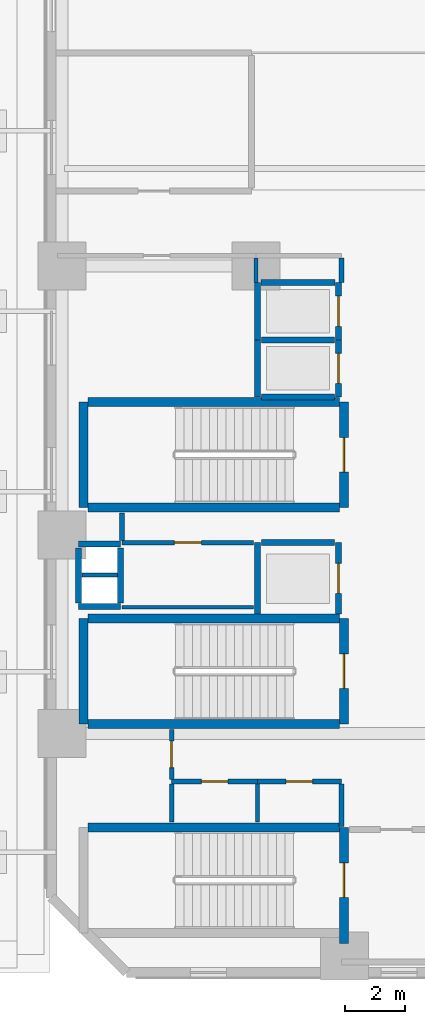
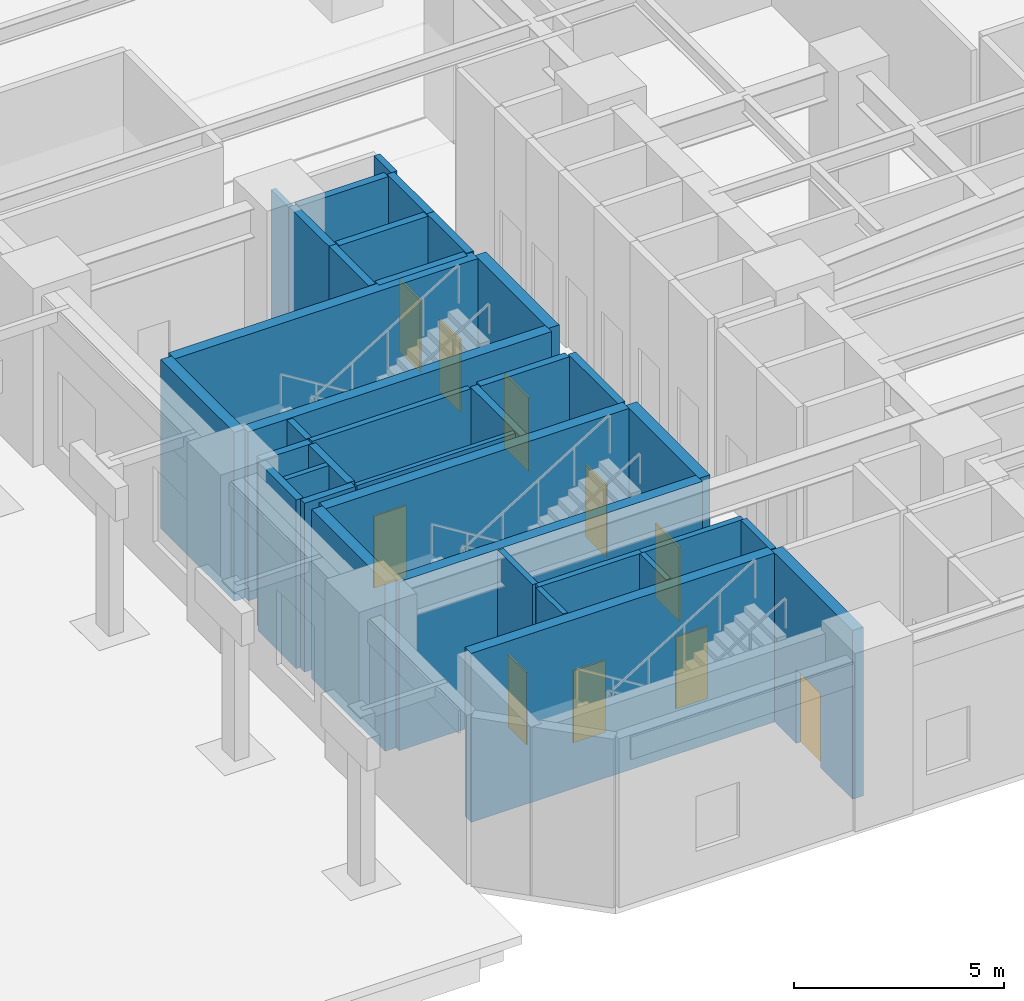
# One storey, part 3 of 14: 36 walls, 10 doors, 10 openings.
"""IFC4 building model written with IfcOpenShell, lengths in metres."""

from ifc_helpers import new_model, si_unit, direction, frame, frame_2d, origin, place, context, subcontext, project, spatial, rectangle, extrude, material, layer, layer_set, type_object, element, fill, save


model = new_model("IFC4")

# Units and contexts
model_context = context("Model", 3, precision=1e-05, world=origin(), true_north=direction((0.0, 1.0)))
body_context = subcontext(model_context, "Body", "Model", "MODEL_VIEW")
ifc_project = project(units=[si_unit("LENGTHUNIT", "METRE"), si_unit("AREAUNIT", "SQUARE_METRE"), si_unit("VOLUMEUNIT", "CUBIC_METRE"), si_unit("PLANEANGLEUNIT", "RADIAN"), si_unit("MASSUNIT", "GRAM", prefix="KILO")], contexts=[model_context])

# Site, building, storey
site_placement = place(None, origin())
site = spatial("IfcSite", under=ifc_project, at=site_placement, CompositionType="ELEMENT")
building_placement = place(site_placement, origin())
building = spatial("IfcBuilding", under=site, at=building_placement, Name="Mawjaban Terraces University", CompositionType="ELEMENT")
storey_placement = place(building_placement, origin())
storey = spatial("IfcBuildingStorey", under=building, at=storey_placement, Name="L00", CompositionType="ELEMENT", Elevation=0.0)

# Wall, opening, door
ifc_material_1 = material(Name="Fire-rated gypsum board on steel stud", Category="steel")
ifc_layer_1 = layer(ifc_material_1, 0.159912109375)
ifc_layer_set_1 = layer_set([ifc_layer_1], Name="Fire-rated gypsum board on steel stud")
wall_type_1 = type_object("IfcWallType", Name="CorridorPartition_160", PredefinedType="PARTITIONING", material=ifc_layer_set_1)
wall_1_placement = place(storey_placement, frame((24.35009765625, 14.300048828125, 0.0), z_axis=(0.0, 0.0, 1.0), x_axis=(1.0, 0.0, 0.0)))
wall_1 = element("IfcWall", 1, at=wall_1_placement, inside=storey, type_object=wall_type_1, Name="L00 Core Riser Access Passage Partition 2", PredefinedType="PARTITIONING", context=body_context, shape_type="SweptSolid", body=[
    extrude(rectangle(XDim=4.369873046875, YDim=0.159912109375, at=frame_2d((2.18505859375, 0.0))), origin(), (0.0, 0.0, 1.0), 4.919921875),
])
opening_1_placement = place(wall_1_placement, frame((1.735107421875, 0.0, 0.0)))
opening_1 = element("IfcOpeningElement", 2, at=opening_1_placement, cuts=wall_1, Name="Opening ID-090", PredefinedType="OPENING", context=body_context, shape_type="SweptSolid", body=[
    extrude(rectangle(XDim=0.89990234375, YDim=2.10009765625, at=frame_2d((0.449951171875, 1.050048828125))), frame((0.0, 0.08984375, 0.0), z_axis=(0.0, -1.0, 0.0), x_axis=(1.0, 0.0, 0.0)), (0.0, 0.0, 1.0), 0.179931640625),
])
ifc_material_2 = material(Name="Powder-coated steel frame and solid acoustic timber leaf", Category="steel")
door_type_1 = type_object("IfcDoorType", Name="OfficeDoor_900x2100", OperationType="NOTDEFINED", PredefinedType="DOOR", material=ifc_material_2)
door_1_placement = place(opening_1_placement, origin())
door_1 = element("IfcDoor", 3, at=door_1_placement, inside=storey, type_object=door_type_1, Name="L00 Cleaner Store Door", OperationType="SINGLE_SWING_RIGHT", OverallHeight=2.10009765625, OverallWidth=0.89990234375, PredefinedType="DOOR", context=body_context, shape_type="SweptSolid", body=[
    extrude(rectangle(XDim=0.89990234375, YDim=2.10009765625, at=frame_2d((0.449951171875, 1.050048828125))), frame((0.0, 0.02490234375, 0.0), z_axis=(0.0, -1.0, 0.0), x_axis=(1.0, 0.0, 0.0)), (0.0, 0.0, 1.0), 0.050048828125),
])
fill(opening_1, door_1)

wall_2_placement = place(storey_placement, frame((26.0, 6.35009765625, 0.0), z_axis=(0.0, 0.0, 1.0), x_axis=(1.0, 0.0, 0.0)))
wall_2 = element("IfcWall", 4, at=wall_2_placement, inside=storey, type_object=wall_type_1, Name="L00 Core Washroom Lobby Partition 3", PredefinedType="PARTITIONING", context=body_context, shape_type="SweptSolid", body=[
    extrude(rectangle(XDim=2.85009765625, YDim=0.159912109375, at=frame_2d((1.425048828125, 0.0))), origin(), (0.0, 0.0, 1.0), 4.919921875),
])
opening_2_placement = place(wall_2_placement, frame((0.985107421875, 0.0, 0.0)))
opening_2 = element("IfcOpeningElement", 5, at=opening_2_placement, cuts=wall_2, Name="Opening ID-088", PredefinedType="OPENING", context=body_context, shape_type="SweptSolid", body=[
    extrude(rectangle(XDim=0.8798828125, YDim=2.10009765625, at=frame_2d((0.43994140625, 1.050048828125))), frame((0.0, 0.08984375, 0.0), z_axis=(0.0, -1.0, 0.0), x_axis=(1.0, 0.0, 0.0)), (0.0, 0.0, 1.0), 0.179931640625),
])
door_type_2 = type_object("IfcDoorType", Name="ToiletDoor_880x2100", OperationType="NOTDEFINED", PredefinedType="DOOR", material=ifc_material_2)
door_2_placement = place(opening_2_placement, origin())
door_2 = element("IfcDoor", 6, at=door_2_placement, inside=storey, type_object=door_type_2, Name="L00 Male Toilet Door", OperationType="SINGLE_SWING_RIGHT", OverallHeight=2.10009765625, OverallWidth=0.8798828125, PredefinedType="DOOR", context=body_context, shape_type="SweptSolid", body=[
    extrude(rectangle(XDim=0.8798828125, YDim=2.10009765625, at=frame_2d((0.43994140625, 1.050048828125))), frame((0.0, 0.02490234375, 0.0), z_axis=(0.0, -1.0, 0.0), x_axis=(1.0, 0.0, 0.0)), (0.0, 0.0, 1.0), 0.050048828125),
])
fill(opening_2, door_2)

wall_3_placement = place(storey_placement, frame((28.85009765625, 6.35009765625, 0.0), z_axis=(0.0, 0.0, 1.0), x_axis=(1.0, 0.0, 0.0)))
wall_3 = element("IfcWall", 7, at=wall_3_placement, inside=storey, type_object=wall_type_1, Name="L00 Core Washroom Lobby Partition 8", PredefinedType="PARTITIONING", context=body_context, shape_type="SweptSolid", body=[
    extrude(rectangle(XDim=2.7998046875, YDim=0.159912109375, at=frame_2d((1.39990234375, 0.0))), origin(), (0.0, 0.0, 1.0), 4.919921875),
])
opening_3_placement = place(wall_3_placement, frame((0.9599609375, 0.0, 0.0)))
opening_3 = element("IfcOpeningElement", 8, at=opening_3_placement, cuts=wall_3, Name="Opening ID-088", PredefinedType="OPENING", context=body_context, shape_type="SweptSolid", body=[
    extrude(rectangle(XDim=0.8798828125, YDim=2.10009765625, at=frame_2d((0.43994140625, 1.050048828125))), frame((0.0, 0.08984375, 0.0), z_axis=(0.0, -1.0, 0.0), x_axis=(1.0, 0.0, 0.0)), (0.0, 0.0, 1.0), 0.179931640625),
])
door_3_placement = place(opening_3_placement, origin())
door_3 = element("IfcDoor", 9, at=door_3_placement, inside=storey, type_object=door_type_2, Name="L00 Accessible Toilet Door", OperationType="SINGLE_SWING_LEFT", OverallHeight=2.10009765625, OverallWidth=0.8798828125, PredefinedType="DOOR", context=body_context, shape_type="SweptSolid", body=[
    extrude(rectangle(XDim=0.8798828125, YDim=2.10009765625, at=frame_2d((0.43994140625, 1.050048828125))), frame((0.0, 0.02490234375, 0.0), z_axis=(0.0, -1.0, 0.0), x_axis=(1.0, 0.0, 0.0)), (0.0, 0.0, 1.0), 0.050048828125),
])
fill(opening_3, door_3)

# Wall
wall_4_placement = place(storey_placement, frame((24.35009765625, 15.2900390625, 0.0), z_axis=(0.0, 0.0, 1.0), x_axis=(0.0, -1.0, 0.0)))
element("IfcWall", 10, at=wall_4_placement, inside=storey, type_object=wall_type_1, Name="L00 Core Riser Access Passage Partition 20", PredefinedType="PARTITIONING", context=body_context, shape_type="SweptSolid", body=[
    extrude(rectangle(XDim=0.9150390625, YDim=0.159912109375, at=frame_2d((0.45751953125, 0.0))), origin(), (0.0, 0.0, 1.0), 4.919921875),
])

# Wall, opening, door
wall_5_placement = place(storey_placement, frame((26.0, 8.090087890625, 0.0), z_axis=(0.0, 0.0, 1.0), x_axis=(0.0, -1.0, 0.0)))
wall_5 = element("IfcWall", 11, at=wall_5_placement, inside=storey, type_object=wall_type_1, Name="L00 Core Washroom Lobby Partition 22", PredefinedType="PARTITIONING", context=body_context, shape_type="SweptSolid", body=[
    extrude(rectangle(XDim=1.6650390625, YDim=0.159912109375, at=frame_2d((0.83251953125, 0.0))), origin(), (0.0, 0.0, 1.0), 4.919921875),
])
opening_4_placement = place(wall_5_placement, frame((0.39306640625, 0.0, 0.0)))
opening_4 = element("IfcOpeningElement", 12, at=opening_4_placement, cuts=wall_5, Name="Opening ID-088", PredefinedType="OPENING", context=body_context, shape_type="SweptSolid", body=[
    extrude(rectangle(XDim=0.8798828125, YDim=2.10009765625, at=frame_2d((0.43994140625, 1.050048828125))), frame((0.0, 0.08984375, 0.0), z_axis=(0.0, -1.0, 0.0), x_axis=(1.0, 0.0, 0.0)), (0.0, 0.0, 1.0), 0.179931640625),
])
door_4_placement = place(opening_4_placement, origin())
door_4 = element("IfcDoor", 13, at=door_4_placement, inside=storey, type_object=door_type_2, Name="L00 Ablution Room Door", OperationType="SINGLE_SWING_LEFT", OverallHeight=2.10009765625, OverallWidth=0.8798828125, PredefinedType="DOOR", context=body_context, shape_type="SweptSolid", body=[
    extrude(rectangle(XDim=0.8798828125, YDim=2.10009765625, at=frame_2d((0.43994140625, 1.050048828125))), frame((0.0, 0.02490234375, 0.0), z_axis=(0.0, -1.0, 0.0), x_axis=(1.0, 0.0, 0.0)), (0.0, 0.0, 1.0), 0.050048828125),
])
fill(opening_4, door_4)

# Walls
wall_6_placement = place(storey_placement, frame((31.64990234375, 4.860107421875, 0.0), z_axis=(0.0, 0.0, 1.0), x_axis=(0.0, 1.0, 0.0)))
element("IfcWall", 14, at=wall_6_placement, inside=storey, type_object=wall_type_1, Name="L00 Accessible Toilet Partition 26", PredefinedType="PARTITIONING", context=body_context, shape_type="SweptSolid", body=[
    extrude(rectangle(XDim=1.414794921875, YDim=0.159912109375, at=frame_2d((0.70751953125, 0.0))), origin(), (0.0, 0.0, 1.0), 4.919921875),
])
wall_7_placement = place(storey_placement, frame((31.64990234375, 23.77490234375, 0.0), z_axis=(0.0, 0.0, 1.0), x_axis=(0.0, -1.0, 0.0)))
element("IfcWall", 15, at=wall_7_placement, inside=storey, type_object=wall_type_1, Name="L00 Passenger Lift Lobby Partition 27", PredefinedType="PARTITIONING", context=body_context, shape_type="SweptSolid", body=[
    extrude(rectangle(XDim=0.824951171875, YDim=0.159912109375, at=frame_2d((0.41259765625, 0.0))), origin(), (0.0, 0.0, 1.0), 4.919921875),
])
ifc_material_3 = material(Name="Concrete C40/50", Category="concrete")
ifc_layer_2 = layer(ifc_material_3, 0.199951171875)
ifc_layer_set_2 = layer_set([ifc_layer_2], Name="Concrete C40/50")
wall_type_2 = type_object("IfcWallType", Name="FireLobbyWall_200", PredefinedType="SOLIDWALL", material=ifc_layer_set_2)
wall_8_placement = place(storey_placement, frame((28.85009765625, 14.300048828125, 0.0), z_axis=(0.0, 0.0, 1.0), x_axis=(0.0, -1.0, 0.0)))
element("IfcWall", 16, at=wall_8_placement, inside=storey, type_object=wall_type_2, Name="L00 Lift PL-H3 Hoistway Wall West", PredefinedType="SOLIDWALL", context=body_context, shape_type="SweptSolid", body=[
    extrude(rectangle(XDim=2.3701171875, YDim=0.199951171875, at=frame_2d((1.18505859375, 0.0))), origin(), (0.0, 0.0, 1.0), 4.919921875),
])

# Wall, opening, door
wall_9_placement = place(storey_placement, frame((31.550048828125, 11.929931640625, 0.0), z_axis=(0.0, 0.0, 1.0), x_axis=(0.0, 1.0, 0.0)))
wall_9 = element("IfcWall", 17, at=wall_9_placement, inside=storey, type_object=wall_type_2, Name="L00 Lift PL-H3 Hoistway Wall East", PredefinedType="SOLIDWALL", context=body_context, shape_type="SweptSolid", body=[
    extrude(rectangle(XDim=2.3701171875, YDim=0.199951171875, at=frame_2d((1.18505859375, 0.0))), origin(), (0.0, 0.0, 1.0), 4.919921875),
])
opening_5_placement = place(wall_9_placement, frame((0.68505859375, 0.0, 0.0)))
opening_5 = element("IfcOpeningElement", 18, at=opening_5_placement, cuts=wall_9, Name="Opening LD-PL-H3", PredefinedType="OPENING", context=body_context, shape_type="SweptSolid", body=[
    extrude(rectangle(XDim=1.0, YDim=2.10009765625, at=frame_2d((0.5, 1.050048828125))), frame((0.0, 0.10986328125, 0.0), z_axis=(0.0, -1.0, 0.0), x_axis=(1.0, 0.0, 0.0)), (0.0, 0.0, 1.0), 0.219970703125),
])
ifc_material_4 = material(Name="Powder-coated steel frame and fire-rated steel-faced leaf", Category="steel")
door_type_3 = type_object("IfcDoorType", Name="LiftLandingSliding_1000x2100", OperationType="NOTDEFINED", PredefinedType="DOOR", material=ifc_material_4)
door_5_placement = place(opening_5_placement, origin())
door_5 = element("IfcDoor", 19, at=door_5_placement, inside=storey, type_object=door_type_3, Name="L00 Lift PL-H3 Sliding Landing Door", OperationType="DOUBLE_DOOR_SLIDING", OverallHeight=2.10009765625, OverallWidth=1.0, PredefinedType="DOOR", context=body_context, shape_type="SweptSolid", body=[
    extrude(rectangle(XDim=1.0, YDim=2.10009765625, at=frame_2d((0.5, 1.050048828125))), frame((0.0, 0.02490234375, 0.0), z_axis=(0.0, -1.0, 0.0), x_axis=(1.0, 0.0, 0.0)), (0.0, 0.0, 1.0), 0.050048828125),
])
fill(opening_5, door_5)

# Walls
wall_10_placement = place(storey_placement, frame((31.419921875, 14.300048828125, 0.0), z_axis=(0.0, 0.0, 1.0), x_axis=(-1.0, 0.0, 0.0)))
element("IfcWall", 20, at=wall_10_placement, inside=storey, type_object=wall_type_2, Name="L00 Lift PL-H3 Hoistway Wall North", PredefinedType="SOLIDWALL", context=body_context, shape_type="SweptSolid", body=[
    extrude(rectangle(XDim=2.43994140625, YDim=0.199951171875, at=frame_2d((1.219970703125, 0.0))), origin(), (0.0, 0.0, 1.0), 4.919921875),
])
wall_11_placement = place(storey_placement, frame((28.85009765625, 21.050048828125, 0.0), z_axis=(0.0, 0.0, 1.0), x_axis=(0.0, -1.0, 0.0)))
element("IfcWall", 21, at=wall_11_placement, inside=storey, type_object=wall_type_2, Name="L00 Lift PL-M3 Hoistway Wall West", PredefinedType="SOLIDWALL", context=body_context, shape_type="SweptSolid", body=[
    extrude(rectangle(XDim=1.900146484375, YDim=0.199951171875, at=frame_2d((0.9501953125, 0.0))), origin(), (0.0, 0.0, 1.0), 4.919921875),
])

# Wall, opening, door
wall_12_placement = place(storey_placement, frame((31.550048828125, 19.14990234375, 0.0), z_axis=(0.0, 0.0, 1.0), x_axis=(0.0, 1.0, 0.0)))
wall_12 = element("IfcWall", 22, at=wall_12_placement, inside=storey, type_object=wall_type_2, Name="L00 Lift PL-M3 Hoistway Wall East", PredefinedType="SOLIDWALL", context=body_context, shape_type="SweptSolid", body=[
    extrude(rectangle(XDim=1.900146484375, YDim=0.199951171875, at=frame_2d((0.9501953125, 0.0))), origin(), (0.0, 0.0, 1.0), 4.919921875),
])
opening_6_placement = place(wall_12_placement, frame((0.449951171875, 0.0, 0.0)))
opening_6 = element("IfcOpeningElement", 23, at=opening_6_placement, cuts=wall_12, Name="Opening LD-PL-M3", PredefinedType="OPENING", context=body_context, shape_type="SweptSolid", body=[
    extrude(rectangle(XDim=1.0, YDim=2.10009765625, at=frame_2d((0.5, 1.050048828125))), frame((0.0, 0.10986328125, 0.0), z_axis=(0.0, -1.0, 0.0), x_axis=(1.0, 0.0, 0.0)), (0.0, 0.0, 1.0), 0.219970703125),
])
door_6_placement = place(opening_6_placement, origin())
door_6 = element("IfcDoor", 24, at=door_6_placement, inside=storey, type_object=door_type_3, Name="L00 Lift PL-M3 Sliding Landing Door", OperationType="DOUBLE_DOOR_SLIDING", OverallHeight=2.10009765625, OverallWidth=1.0, PredefinedType="DOOR", context=body_context, shape_type="SweptSolid", body=[
    extrude(rectangle(XDim=1.0, YDim=2.10009765625, at=frame_2d((0.5, 1.050048828125))), frame((0.0, 0.02490234375, 0.0), z_axis=(0.0, -1.0, 0.0), x_axis=(1.0, 0.0, 0.0)), (0.0, 0.0, 1.0), 0.050048828125),
])
fill(opening_6, door_6)

# Walls
for number, where, z_axis, x_axis, name in (
    (25, (28.97998046875, 19.14990234375, 0.0), (0.0, 0.0, 1.0), (1.0, 0.0, 0.0), "L00 Lift PL-M3 Hoistway Wall South"),
    (26, (31.419921875, 21.050048828125, 0.0), (0.0, 0.0, 1.0), (-1.0, 0.0, 0.0), "L00 Lift PL-M3 Hoistway Wall North"),
):
    element("IfcWall", number, at=place(storey_placement, frame(where, z_axis=z_axis, x_axis=x_axis)), inside=storey, type_object=wall_type_2, Name=name, PredefinedType="SOLIDWALL", context=body_context, shape_type="SweptSolid", body=[
        extrude(rectangle(XDim=2.43994140625, YDim=0.199951171875, at=frame_2d((1.219970703125, 0.0))), origin(), (0.0, 0.0, 1.0), 4.919921875),
    ])
wall_13_placement = place(storey_placement, frame((28.85009765625, 22.949951171875, 0.0), z_axis=(0.0, 0.0, 1.0), x_axis=(0.0, -1.0, 0.0)))
element("IfcWall", 27, at=wall_13_placement, inside=storey, type_object=wall_type_2, Name="L00 Lift PL-L3 Hoistway Wall West", PredefinedType="SOLIDWALL", context=body_context, shape_type="SweptSolid", body=[
    extrude(rectangle(XDim=1.89990234375, YDim=0.199951171875, at=frame_2d((0.949951171875, 0.0))), origin(), (0.0, 0.0, 1.0), 4.919921875),
])

# Wall, opening, door
wall_14_placement = place(storey_placement, frame((31.550048828125, 21.050048828125, 0.0), z_axis=(0.0, 0.0, 1.0), x_axis=(0.0, 1.0, 0.0)))
wall_14 = element("IfcWall", 28, at=wall_14_placement, inside=storey, type_object=wall_type_2, Name="L00 Lift PL-L3 Hoistway Wall East", PredefinedType="SOLIDWALL", context=body_context, shape_type="SweptSolid", body=[
    extrude(rectangle(XDim=1.89990234375, YDim=0.199951171875, at=frame_2d((0.949951171875, 0.0))), origin(), (0.0, 0.0, 1.0), 4.919921875),
])
opening_7_placement = place(wall_14_placement, frame((0.449951171875, 0.0, 0.0)))
opening_7 = element("IfcOpeningElement", 29, at=opening_7_placement, cuts=wall_14, Name="Opening LD-PL-L3", PredefinedType="OPENING", context=body_context, shape_type="SweptSolid", body=[
    extrude(rectangle(XDim=1.0, YDim=2.10009765625, at=frame_2d((0.5, 1.050048828125))), frame((0.0, 0.10986328125, 0.0), z_axis=(0.0, -1.0, 0.0), x_axis=(1.0, 0.0, 0.0)), (0.0, 0.0, 1.0), 0.219970703125),
])
door_7_placement = place(opening_7_placement, origin())
door_7 = element("IfcDoor", 30, at=door_7_placement, inside=storey, type_object=door_type_3, Name="L00 Lift PL-L3 Sliding Landing Door", OperationType="DOUBLE_DOOR_SLIDING", OverallHeight=2.10009765625, OverallWidth=1.0, PredefinedType="DOOR", context=body_context, shape_type="SweptSolid", body=[
    extrude(rectangle(XDim=1.0, YDim=2.10009765625, at=frame_2d((0.5, 1.050048828125))), frame((0.0, 0.02490234375, 0.0), z_axis=(0.0, -1.0, 0.0), x_axis=(1.0, 0.0, 0.0)), (0.0, 0.0, 1.0), 0.050048828125),
])
fill(opening_7, door_7)

# Walls
wall_15_placement = place(storey_placement, frame((31.429931640625, 22.949951171875, 0.0), z_axis=(0.0, 0.0, 1.0), x_axis=(-1.0, 0.0, 0.0)))
element("IfcWall", 31, at=wall_15_placement, inside=storey, type_object=wall_type_2, Name="L00 Lift PL-L3 Hoistway Wall North", PredefinedType="SOLIDWALL", context=body_context, shape_type="SweptSolid", body=[
    extrude(rectangle(XDim=2.4599609375, YDim=0.199951171875, at=frame_2d((1.22998046875, 0.0))), origin(), (0.0, 0.0, 1.0), 4.919921875),
])
for number, where, z_axis, x_axis, name in (
    (32, (22.89990234375, 14.25, 0.0), (0.0, 0.0, 1.0), (1.0, 0.0, 0.0), "L00 MEP Riser Shaft Wall N"),
    (33, (22.89990234375, 12.179931640625, 0.0), (0.0, 0.0, 1.0), (1.0, 0.0, 0.0), "L00 MEP Riser Shaft Wall S"),
):
    element("IfcWall", number, at=place(storey_placement, frame(where, z_axis=z_axis, x_axis=x_axis)), inside=storey, type_object=wall_type_2, Name=name, PredefinedType="SOLIDWALL", context=body_context, shape_type="SweptSolid", body=[
        extrude(rectangle(XDim=1.400146484375, YDim=0.199951171875, at=frame_2d((0.7001953125, 0.0))), origin(), (0.0, 0.0, 1.0), 4.919921875),
    ])
for number, where, z_axis, x_axis, name in (
    (34, (24.300048828125, 12.300048828125, 0.0), (0.0, 0.0, 1.0), (0.0, 1.0, 0.0), "L00 MEP Riser Shaft Wall E"),
    (35, (22.89990234375, 12.300048828125, 0.0), (0.0, 0.0, 1.0), (0.0, 1.0, 0.0), "L00 MEP Riser Shaft Wall W"),
):
    element("IfcWall", number, at=place(storey_placement, frame(where, z_axis=z_axis, x_axis=x_axis)), inside=storey, type_object=wall_type_2, Name=name, PredefinedType="SOLIDWALL", context=body_context, shape_type="SweptSolid", body=[
        extrude(rectangle(XDim=1.829833984375, YDim=0.199951171875, at=frame_2d((0.9150390625, 0.0))), origin(), (0.0, 0.0, 1.0), 4.919921875),
    ])
ifc_material_5 = material(Name="Moisture-resistant gypsum board on steel stud", Category="steel")
ifc_layer_3 = layer(ifc_material_5, 0.14501953125)
ifc_layer_set_3 = layer_set([ifc_layer_3], Name="Moisture-resistant gypsum board on steel stud")
wall_type_3 = type_object("IfcWallType", Name="LabPartition_145", PredefinedType="PARTITIONING", material=ifc_layer_set_3)
wall_16_placement = place(storey_placement, frame((23.010009765625, 13.22509765625, 0.0), z_axis=(0.0, 0.0, 1.0), x_axis=(1.0, 0.0, 0.0)))
element("IfcWall", 36, at=wall_16_placement, inside=storey, type_object=wall_type_3, Name="L00 MEP Riser Shaft Wall M", PredefinedType="PARTITIONING", context=body_context, shape_type="SweptSolid", body=[
    extrude(rectangle(XDim=1.179931640625, YDim=0.14501953125, at=frame_2d((0.58984375, 0.0))), origin(), (0.0, 0.0, 1.0), 4.919921875),
])
ifc_material_6 = material(Name="Gypsum plasterboard on steel stud", Category="steel")
ifc_layer_4 = layer(ifc_material_6, 0.125)
ifc_layer_set_4 = layer_set([ifc_layer_4], Name="Gypsum plasterboard on steel stud")
wall_type_4 = type_object("IfcWallType", Name="OfficePartition_125", PredefinedType="PARTITIONING", material=ifc_layer_set_4)
wall_17_placement = place(storey_placement, frame((24.35009765625, 12.14990234375, 0.0), z_axis=(0.0, 0.0, 1.0), x_axis=(1.0, 0.0, 0.0)))
element("IfcWall", 37, at=wall_17_placement, inside=storey, type_object=wall_type_4, Name="L00 Cleaner Store Partition 1", PredefinedType="PARTITIONING", context=body_context, shape_type="SweptSolid", body=[
    extrude(rectangle(XDim=4.369873046875, YDim=0.125, at=frame_2d((2.18505859375, 0.0))), origin(), (0.0, 0.0, 1.0), 4.919921875),
])
ifc_material_7 = material(Name="Concrete C60/75", Category="concrete")
ifc_layer_5 = layer(ifc_material_7, 0.300048828125)
ifc_layer_set_5 = layer_set([ifc_layer_5], Name="Concrete C60/75")
wall_type_5 = type_object("IfcWallType", Name="StairShaftWall_300", PredefinedType="SHEAR", material=ifc_layer_set_5)
wall_18_placement = place(storey_placement, frame((31.580078125, 4.830078125, 0.0), z_axis=(0.0, 0.0, 1.0), x_axis=(-1.0, 0.0, 0.0)))
element("IfcWall", 38, at=wall_18_placement, inside=storey, type_object=wall_type_5, Name="L00 ST-1 Stair Shaft Wall 1", PredefinedType="SHEAR", context=body_context, shape_type="SweptSolid", body=[
    extrude(rectangle(XDim=8.360107421875, YDim=0.300048828125, at=frame_2d((4.18017578125, 0.0))), origin(), (0.0, 0.0, 1.0), 4.919921875),
])

# Wall, opening, door
wall_19_placement = place(storey_placement, frame((31.72998046875, 0.9599609375, 0.0), z_axis=(0.0, 0.0, 1.0), x_axis=(0.0, 1.0, 0.0)))
wall_19 = element("IfcWall", 39, at=wall_19_placement, inside=storey, type_object=wall_type_5, Name="L00 ST-1 Stair Shaft Wall 4", PredefinedType="SHEAR", context=body_context, shape_type="SweptSolid", body=[
    extrude(rectangle(XDim=3.8701171875, YDim=0.300048828125, at=frame_2d((1.93505859375, 0.0))), origin(), (0.0, 0.0, 1.0), 4.919921875),
])
opening_8_placement = place(wall_19_placement, frame((1.5400390625, 0.0, 0.0)))
opening_8 = element("IfcOpeningElement", 40, at=opening_8_placement, cuts=wall_19, Name="Opening FD-115", PredefinedType="OPENING", context=body_context, shape_type="SweptSolid", body=[
    extrude(rectangle(XDim=1.14990234375, YDim=2.14990234375, at=frame_2d((0.574951171875, 1.074951171875))), frame((0.0, 0.159912109375, 0.0), z_axis=(0.0, -1.0, 0.0), x_axis=(1.0, 0.0, 0.0)), (0.0, 0.0, 1.0), 0.320068359375),
])
door_type_4 = type_object("IfcDoorType", Name="FireStairDoor_1150x2150", OperationType="NOTDEFINED", PredefinedType="DOOR", material=ifc_material_4)
door_8_placement = place(opening_8_placement, origin())
door_8 = element("IfcDoor", 41, at=door_8_placement, inside=storey, type_object=door_type_4, Name="L00 ST-1 Pressurised Stair Fire Door", OperationType="SINGLE_SWING_LEFT", OverallHeight=2.14990234375, OverallWidth=1.14990234375, PredefinedType="DOOR", context=body_context, shape_type="SweptSolid", body=[
    extrude(rectangle(XDim=1.14990234375, YDim=2.14990234375, at=frame_2d((0.574951171875, 1.074951171875))), frame((0.0, 0.02490234375, 0.0), z_axis=(0.0, -1.0, 0.0), x_axis=(1.0, 0.0, 0.0)), (0.0, 0.0, 1.0), 0.050048828125),
])
fill(opening_8, door_8)

# Walls
wall_20_placement = place(storey_placement, frame((31.580078125, 18.97998046875, 0.0), z_axis=(0.0, 0.0, 1.0), x_axis=(-1.0, 0.0, 0.0)))
element("IfcWall", 42, at=wall_20_placement, inside=storey, type_object=wall_type_5, Name="L00 ST-2 Stair Shaft Wall 1", PredefinedType="SHEAR", context=body_context, shape_type="SweptSolid", body=[
    extrude(rectangle(XDim=8.360107421875, YDim=0.300048828125, at=frame_2d((4.18017578125, 0.0))), origin(), (0.0, 0.0, 1.0), 4.919921875),
])
wall_21_placement = place(storey_placement, frame((23.070068359375, 18.97998046875, 0.0), z_axis=(0.0, 0.0, 1.0), x_axis=(0.0, -1.0, 0.0)))
element("IfcWall", 43, at=wall_21_placement, inside=storey, type_object=wall_type_5, Name="L00 ST-2 Stair Shaft Wall 2", PredefinedType="SHEAR", context=body_context, shape_type="SweptSolid", body=[
    extrude(rectangle(XDim=3.510009765625, YDim=0.300048828125, at=frame_2d((1.7548828125, 0.0))), origin(), (0.0, 0.0, 1.0), 4.919921875),
])
wall_22_placement = place(storey_placement, frame((23.219970703125, 15.469970703125, 0.0), z_axis=(0.0, 0.0, 1.0), x_axis=(1.0, 0.0, 0.0)))
element("IfcWall", 44, at=wall_22_placement, inside=storey, type_object=wall_type_5, Name="L00 ST-2 Stair Shaft Wall 3", PredefinedType="SHEAR", context=body_context, shape_type="SweptSolid", body=[
    extrude(rectangle(XDim=8.360107421875, YDim=0.300048828125, at=frame_2d((4.18017578125, 0.0))), origin(), (0.0, 0.0, 1.0), 4.919921875),
])

# Wall, opening, door
wall_23_placement = place(storey_placement, frame((31.72998046875, 15.469970703125, 0.0), z_axis=(0.0, 0.0, 1.0), x_axis=(0.0, 1.0, 0.0)))
wall_23 = element("IfcWall", 45, at=wall_23_placement, inside=storey, type_object=wall_type_5, Name="L00 ST-2 Stair Shaft Wall 4", PredefinedType="SHEAR", context=body_context, shape_type="SweptSolid", body=[
    extrude(rectangle(XDim=3.510009765625, YDim=0.300048828125, at=frame_2d((1.7548828125, 0.0))), origin(), (0.0, 0.0, 1.0), 4.919921875),
])
opening_9_placement = place(wall_23_placement, frame((1.179931640625, 0.0, 0.0)))
opening_9 = element("IfcOpeningElement", 46, at=opening_9_placement, cuts=wall_23, Name="Opening FD-115", PredefinedType="OPENING", context=body_context, shape_type="SweptSolid", body=[
    extrude(rectangle(XDim=1.14990234375, YDim=2.14990234375, at=frame_2d((0.574951171875, 1.074951171875))), frame((0.0, 0.159912109375, 0.0), z_axis=(0.0, -1.0, 0.0), x_axis=(1.0, 0.0, 0.0)), (0.0, 0.0, 1.0), 0.320068359375),
])
door_9_placement = place(opening_9_placement, origin())
door_9 = element("IfcDoor", 47, at=door_9_placement, inside=storey, type_object=door_type_4, Name="L00 ST-2 Pressurised Stair Fire Door", OperationType="SINGLE_SWING_RIGHT", OverallHeight=2.14990234375, OverallWidth=1.14990234375, PredefinedType="DOOR", context=body_context, shape_type="SweptSolid", body=[
    extrude(rectangle(XDim=1.14990234375, YDim=2.14990234375, at=frame_2d((0.574951171875, 1.074951171875))), frame((0.0, 0.02490234375, 0.0), z_axis=(0.0, -1.0, 0.0), x_axis=(1.0, 0.0, 0.0)), (0.0, 0.0, 1.0), 0.050048828125),
])
fill(opening_9, door_9)

# Walls
wall_24_placement = place(storey_placement, frame((31.580078125, 11.780029296875, 0.0), z_axis=(0.0, 0.0, 1.0), x_axis=(-1.0, 0.0, 0.0)))
element("IfcWall", 48, at=wall_24_placement, inside=storey, type_object=wall_type_5, Name="L00 ST-3 Stair Shaft Wall 1", PredefinedType="SHEAR", context=body_context, shape_type="SweptSolid", body=[
    extrude(rectangle(XDim=8.360107421875, YDim=0.300048828125, at=frame_2d((4.18017578125, 0.0))), origin(), (0.0, 0.0, 1.0), 4.919921875),
])
wall_25_placement = place(storey_placement, frame((23.070068359375, 11.780029296875, 0.0), z_axis=(0.0, 0.0, 1.0), x_axis=(0.0, -1.0, 0.0)))
element("IfcWall", 49, at=wall_25_placement, inside=storey, type_object=wall_type_5, Name="L00 ST-3 Stair Shaft Wall 2", PredefinedType="SHEAR", context=body_context, shape_type="SweptSolid", body=[
    extrude(rectangle(XDim=3.510009765625, YDim=0.300048828125, at=frame_2d((1.7548828125, 0.0))), origin(), (0.0, 0.0, 1.0), 4.919921875),
])
wall_26_placement = place(storey_placement, frame((23.219970703125, 8.27001953125, 0.0), z_axis=(0.0, 0.0, 1.0), x_axis=(1.0, 0.0, 0.0)))
element("IfcWall", 50, at=wall_26_placement, inside=storey, type_object=wall_type_5, Name="L00 ST-3 Stair Shaft Wall 3", PredefinedType="SHEAR", context=body_context, shape_type="SweptSolid", body=[
    extrude(rectangle(XDim=8.360107421875, YDim=0.300048828125, at=frame_2d((4.18017578125, 0.0))), origin(), (0.0, 0.0, 1.0), 4.919921875),
])

# Wall, opening, door
wall_27_placement = place(storey_placement, frame((31.72998046875, 8.27001953125, 0.0), z_axis=(0.0, 0.0, 1.0), x_axis=(0.0, 1.0, 0.0)))
wall_27 = element("IfcWall", 51, at=wall_27_placement, inside=storey, type_object=wall_type_5, Name="L00 ST-3 Stair Shaft Wall 4", PredefinedType="SHEAR", context=body_context, shape_type="SweptSolid", body=[
    extrude(rectangle(XDim=3.510009765625, YDim=0.300048828125, at=frame_2d((1.7548828125, 0.0))), origin(), (0.0, 0.0, 1.0), 4.919921875),
])
opening_10_placement = place(wall_27_placement, frame((1.179931640625, 0.0, 0.0)))
opening_10 = element("IfcOpeningElement", 52, at=opening_10_placement, cuts=wall_27, Name="Opening FD-115", PredefinedType="OPENING", context=body_context, shape_type="SweptSolid", body=[
    extrude(rectangle(XDim=1.14990234375, YDim=2.14990234375, at=frame_2d((0.574951171875, 1.074951171875))), frame((0.0, 0.159912109375, 0.0), z_axis=(0.0, -1.0, 0.0), x_axis=(1.0, 0.0, 0.0)), (0.0, 0.0, 1.0), 0.320068359375),
])
door_10_placement = place(opening_10_placement, origin())
door_10 = element("IfcDoor", 53, at=door_10_placement, inside=storey, type_object=door_type_4, Name="L00 ST-3 Pressurised Stair Fire Door", OperationType="SINGLE_SWING_LEFT", OverallHeight=2.14990234375, OverallWidth=1.14990234375, PredefinedType="DOOR", context=body_context, shape_type="SweptSolid", body=[
    extrude(rectangle(XDim=1.14990234375, YDim=2.14990234375, at=frame_2d((0.574951171875, 1.074951171875))), frame((0.0, 0.02490234375, 0.0), z_axis=(0.0, -1.0, 0.0), x_axis=(1.0, 0.0, 0.0)), (0.0, 0.0, 1.0), 0.050048828125),
])
fill(opening_10, door_10)

# Walls
ifc_material_8 = material(Name="Cement-board wet-room partition", Category="masonry")
ifc_layer_6 = layer(ifc_material_8, 0.135009765625)
ifc_layer_set_6 = layer_set([ifc_layer_6], Name="Cement-board wet-room partition")
wall_type_6 = type_object("IfcWallType", Name="WetRoomPartition_135", PredefinedType="PARTITIONING", material=ifc_layer_set_6)
wall_28_placement = place(storey_placement, frame((26.0, 5.010009765625, 0.0), z_axis=(0.0, 0.0, 1.0), x_axis=(0.0, 1.0, 0.0)))
element("IfcWall", 54, at=wall_28_placement, inside=storey, type_object=wall_type_6, Name="L00 Ablution Room Partition 21", PredefinedType="PARTITIONING", context=body_context, shape_type="SweptSolid", body=[
    extrude(rectangle(XDim=1.264892578125, YDim=0.135009765625, at=frame_2d((0.63232421875, 0.0))), origin(), (0.0, 0.0, 1.0), 4.919921875),
])
wall_29_placement = place(storey_placement, frame((28.800048828125, 22.949951171875, 0.0), z_axis=(0.0, 0.0, 1.0), x_axis=(0.0, 1.0, 0.0)))
element("IfcWall", 55, at=wall_29_placement, inside=storey, type_object=wall_type_6, Name="L00 Female Toilet Partition 24", PredefinedType="PARTITIONING", context=body_context, shape_type="SweptSolid", body=[
    extrude(rectangle(XDim=0.824951171875, YDim=0.135009765625, at=frame_2d((0.41259765625, 0.0))), origin(), (0.0, 0.0, 1.0), 4.919921875),
])
wall_30_placement = place(storey_placement, frame((28.85009765625, 5.010009765625, 0.0), z_axis=(0.0, 0.0, 1.0), x_axis=(0.0, 1.0, 0.0)))
element("IfcWall", 56, at=wall_30_placement, inside=storey, type_object=wall_type_6, Name="L00 Male Toilet Partition 25", PredefinedType="PARTITIONING", context=body_context, shape_type="SweptSolid", body=[
    extrude(rectangle(XDim=1.264892578125, YDim=0.135009765625, at=frame_2d((0.63232421875, 0.0))), origin(), (0.0, 0.0, 1.0), 4.919921875),
])

save(model, "model.ifc")
